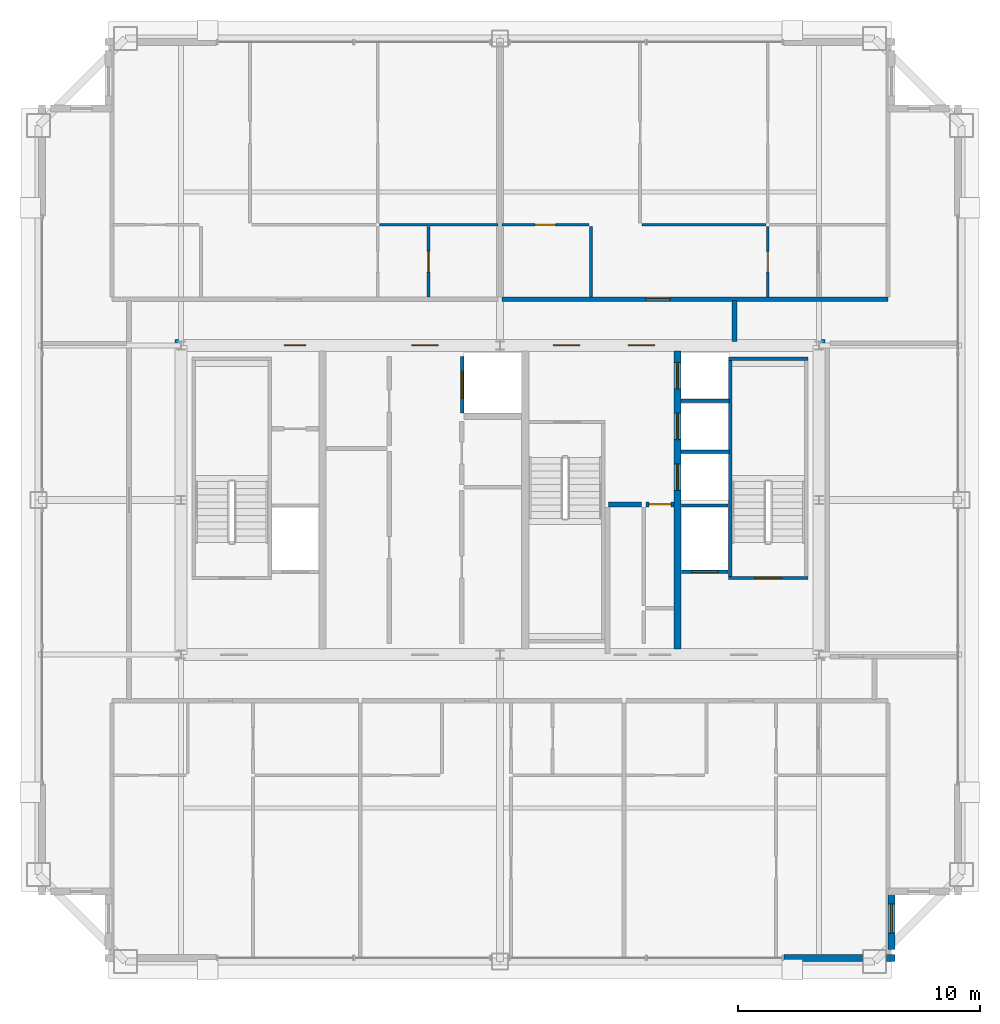
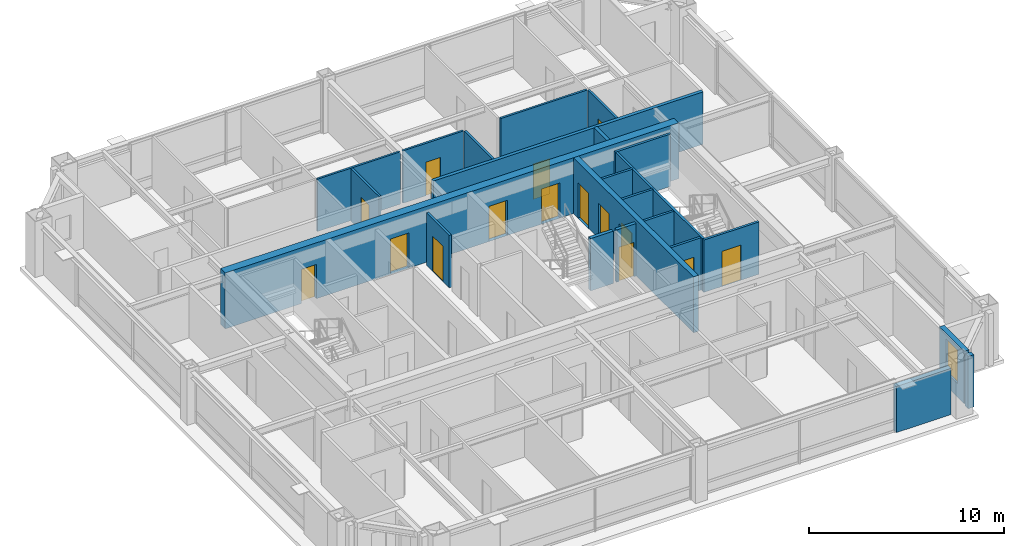
# One storey, part 32 of 35: 23 walls, 15 doors, 1 window, 16 openings.
"""IFC4 building model written with IfcOpenShell, lengths in metres."""

from ifc_helpers import new_model, si_unit, direction, frame, frame_2d, origin, place, context, subcontext, project, spatial, rectangle, extrude, source, transform, mapped, material, layer, layer_set, type_object, element, fill, save


model = new_model("IFC4")

# Units and contexts
model_context = context("Model", 3, precision=1e-05, world=origin(), true_north=direction((0.0, 1.0)))
body_context = subcontext(model_context, "Body", "Model", "MODEL_VIEW")
ifc_project = project(units=[si_unit("LENGTHUNIT", "METRE"), si_unit("AREAUNIT", "SQUARE_METRE"), si_unit("VOLUMEUNIT", "CUBIC_METRE"), si_unit("PLANEANGLEUNIT", "RADIAN"), si_unit("MASSUNIT", "GRAM", prefix="KILO"), si_unit("THERMODYNAMICTEMPERATUREUNIT", "KELVIN"), si_unit("POWERUNIT", "WATT")], contexts=[model_context])

# Site, building, storey
site_placement = place(None, origin())
site = spatial("IfcSite", under=ifc_project, at=site_placement, CompositionType="ELEMENT")
building_placement = place(site_placement, origin())
building = spatial("IfcBuilding", under=site, at=building_placement, Name="Yuzanri Waterfront Tower", CompositionType="ELEMENT")
storey_placement = place(building_placement, frame((0.0, 0.0, 318.199951171875)))
storey = spatial("IfcBuildingStorey", under=building, at=storey_placement, Name="L85", CompositionType="ELEMENT", Elevation=318.199951171875)

# Wall, opening, door
ifc_material_1 = material(Name="Moisture-Resistant Gypsum Stud Wall", Category="gypsum")
ifc_layer_1 = layer(ifc_material_1, 0.1201171875)
ifc_layer_set_1 = layer_set([ifc_layer_1], Name="Moisture-Resistant Gypsum Stud Wall")
wall_type_1 = type_object("IfcWallType", Name="Bathroom and Kitchen Wet Partition 120", PredefinedType="PARTITIONING", material=ifc_layer_set_1)
wall_1_placement = place(storey_placement, frame((34.0400390625, 34.2099609375, 0.0), z_axis=(0.0, 0.0, 1.0), x_axis=(0.0, 1.0, 0.0)))
wall_1 = element("IfcWall", 1, at=wall_1_placement, inside=storey, type_object=wall_type_1, Name="L85 Partition UW-L85-HN1-SUB-2-W", PredefinedType="PARTITIONING", context=body_context, shape_type="SweptSolid", body=[
    extrude(rectangle(XDim=2.900146484375, YDim=0.1201171875, at=frame_2d((1.4501953125, 0.0))), origin(), (0.0, 0.0, 1.0), 3.280029296875),
])
opening_1_placement = place(wall_1_placement, frame((1.02490234375, 0.0, 0.0)))
opening_1 = element("IfcOpeningElement", 2, at=opening_1_placement, cuts=wall_1, Name="Opening ID-0850", PredefinedType="OPENING", context=body_context, shape_type="SweptSolid", body=[
    extrude(rectangle(XDim=0.85009765625, YDim=2.10009765625, at=frame_2d((0.425048828125, 1.050048828125))), frame((0.0, 0.074951171875, 0.0), z_axis=(0.0, -1.0, 0.0), x_axis=(1.0, 0.0, 0.0)), (0.0, 0.0, 1.0), 0.14990234375),
])
ifc_material_2 = material(Name="Moisture-Resistant Lacquered Timber", Category="wood")
door_type_1 = type_object("IfcDoorType", Name="En-Suite Bathroom and Kitchen Swing Door 850x2100", OperationType="NOTDEFINED", PredefinedType="DOOR", material=ifc_material_2)
shared_shape_1 = source(origin(), body_context, "Body", "SweptSolid", [
    extrude(rectangle(XDim=0.85009765625, YDim=2.10009765625, at=frame_2d((0.425048828125, 1.050048828125))), frame((0.0, 0.02490234375, 0.0), z_axis=(0.0, -1.0, 0.0), x_axis=(1.0, 0.0, 0.0)), (0.0, 0.0, 1.0), 0.050048828125),
])
door_1_placement = place(opening_1_placement, origin())
door_1 = element("IfcDoor", 3, at=door_1_placement, inside=storey, type_object=door_type_1, Name="L85 Suite Interior Room Door", OperationType="SINGLE_SWING_RIGHT", OverallHeight=2.10009765625, OverallWidth=0.85009765625, PredefinedType="DOOR", context=body_context, shape_type="MappedRepresentation", body=[
    mapped(shared_shape_1, transform((0.0, 0.0, 0.0), scale=1.0)),
])
fill(opening_1, door_1)

wall_2_placement = place(storey_placement, frame((37.080078125, 37.18994140625, 0.0), z_axis=(0.0, 0.0, 1.0), x_axis=(1.0, 0.0, 0.0)))
wall_2 = element("IfcWall", 4, at=wall_2_placement, inside=storey, type_object=wall_type_1, Name="L85 Partition UW-L85-HN2-SUB-1-N", PredefinedType="PARTITIONING", context=body_context, shape_type="SweptSolid", body=[
    extrude(rectangle(XDim=3.599853515625, YDim=0.1201171875, at=frame_2d((1.7998046875, 0.0))), origin(), (0.0, 0.0, 1.0), 3.280029296875),
])
opening_2_placement = place(wall_2_placement, frame((1.375, 0.0, 0.0)))
opening_2 = element("IfcOpeningElement", 5, at=opening_2_placement, cuts=wall_2, Name="Opening ID-0850", PredefinedType="OPENING", context=body_context, shape_type="SweptSolid", body=[
    extrude(rectangle(XDim=0.85009765625, YDim=2.10009765625, at=frame_2d((0.425048828125, 1.050048828125))), frame((0.0, 0.074951171875, 0.0), z_axis=(0.0, -1.0, 0.0), x_axis=(1.0, 0.0, 0.0)), (0.0, 0.0, 1.0), 0.14990234375),
])
door_2_placement = place(opening_2_placement, origin())
door_2 = element("IfcDoor", 6, at=door_2_placement, inside=storey, type_object=door_type_1, Name="L85 Suite Interior Room Door", OperationType="SINGLE_SWING_LEFT", OverallHeight=2.10009765625, OverallWidth=0.85009765625, PredefinedType="DOOR", context=body_context, shape_type="MappedRepresentation", body=[
    mapped(shared_shape_1, transform((0.0, 0.0, 0.0), scale=1.0)),
])
fill(opening_2, door_2)

wall_3_placement = place(storey_placement, frame((48.08203125, 34.2099609375, 0.0), z_axis=(0.0, 0.0, 1.0), x_axis=(0.0, 1.0, 0.0)))
wall_3 = element("IfcWall", 7, at=wall_3_placement, inside=storey, type_object=wall_type_1, Name="L85 Partition UW-L85-HN2-SUB-4-W", PredefinedType="PARTITIONING", context=body_context, shape_type="SweptSolid", body=[
    extrude(rectangle(XDim=2.900146484375, YDim=0.1201171875, at=frame_2d((1.4501953125, 0.0))), origin(), (0.0, 0.0, 1.0), 3.280029296875),
])
opening_3_placement = place(wall_3_placement, frame((1.02490234375, 0.0, 0.0)))
opening_3 = element("IfcOpeningElement", 8, at=opening_3_placement, cuts=wall_3, Name="Opening ID-0850", PredefinedType="OPENING", context=body_context, shape_type="SweptSolid", body=[
    extrude(rectangle(XDim=0.85009765625, YDim=2.10009765625, at=frame_2d((0.425048828125, 1.050048828125))), frame((0.0, 0.074951171875, 0.0), z_axis=(0.0, -1.0, 0.0), x_axis=(1.0, 0.0, 0.0)), (0.0, 0.0, 1.0), 0.14990234375),
])
door_3_placement = place(opening_3_placement, origin())
door_3 = element("IfcDoor", 9, at=door_3_placement, inside=storey, type_object=door_type_1, Name="L85 Suite Interior Room Door", OperationType="SINGLE_SWING_RIGHT", OverallHeight=2.10009765625, OverallWidth=0.85009765625, PredefinedType="DOOR", context=body_context, shape_type="MappedRepresentation", body=[
    mapped(shared_shape_1, transform((0.0, 0.0, 0.0), scale=1.0)),
])
fill(opening_3, door_3)

# Wall, opening, window
ifc_material_3 = material(Name="Honed Chongqing Dark Basalt Stone", Category="masonry")
ifc_layer_2 = layer(ifc_material_3, 0.300048828125)
ifc_layer_set_2 = layer_set([ifc_layer_2], Name="Honed Chongqing Dark Basalt Stone")
wall_type_2 = type_object("IfcWallType", Name="Bronze Rainscreen Insulated Spandrel Portal Wall 300", PredefinedType="SOLIDWALL", material=ifc_layer_set_2)
wall_4_placement = place(storey_placement, frame((53.199951171875, 7.199951171875, 0.0), z_axis=(0.0, 0.0, 1.0), x_axis=(0.0, 1.0, 0.0)))
wall_4 = element("IfcWall", 10, at=wall_4_placement, inside=storey, type_object=wall_type_2, Name="L85 Notched Corner Masonry Wall SE-Y", PredefinedType="SOLIDWALL", context=body_context, shape_type="SweptSolid", body=[
    extrude(rectangle(XDim=2.550048828125, YDim=0.300048828125, at=frame_2d((1.27490234375, 0.0))), origin(), (0.0, 0.0, 1.0), 3.280029296875),
])
opening_4_placement = place(wall_4_placement, frame((0.675048828125, 0.0, 0.85009765625)))
opening_4 = element("IfcOpeningElement", 11, at=opening_4_placement, cuts=wall_4, Name="Opening WN-02", PredefinedType="OPENING", context=body_context, shape_type="SweptSolid", body=[
    extrude(rectangle(XDim=1.199951171875, YDim=2.10009765625, at=frame_2d((0.60009765625, 1.050048828125))), frame((0.0, 0.1650390625, 0.0), z_axis=(0.0, -1.0, 0.0), x_axis=(1.0, 0.0, 0.0)), (0.0, 0.0, 1.0), 0.329833984375),
])
ifc_material_4 = material(Name="Double-Silver Low-E Insulated Glass", Category="glass")
window_type = type_object("IfcWindowType", Name="Anodized Bronze Notched Corner Deep-Set Slot Window 1200x2100", PartitioningType="SINGLE_PANEL", PredefinedType="WINDOW", material=ifc_material_4)
shared_shape_2 = source(origin(), body_context, "Body", "SweptSolid", [
    extrude(rectangle(XDim=1.199951171875, YDim=2.10009765625, at=frame_2d((0.60009765625, 1.050048828125))), frame((0.0, 0.030029296875, 0.0), z_axis=(0.0, -1.0, 0.0), x_axis=(1.0, 0.0, 0.0)), (0.0, 0.0, 1.0), 0.06005859375),
])
window_placement = place(opening_4_placement, origin())
window = element("IfcWindow", 12, at=window_placement, inside=storey, type_object=window_type, Name="L85 Notched Corner Window SE-Y", OverallHeight=2.10009765625, OverallWidth=1.199951171875, PartitioningType="SINGLE_PANEL", PredefinedType="WINDOW", context=body_context, shape_type="MappedRepresentation", body=[
    mapped(shared_shape_2, transform((0.0, 0.0, 0.0), scale=1.0)),
])
fill(opening_4, window)

# Wall, openings, doors
ifc_material_5 = material(Name="Concrete C45", Category="concrete")
ifc_layer_3 = layer(ifc_material_5, 0.47998046875)
ifc_layer_set_3 = layer_set([ifc_layer_3], Name="Concrete C45")
wall_type_3 = type_object("IfcWallType", Name="Concrete C45 High-Rise Core Shear Wall 480", PredefinedType="SHEAR", material=ifc_layer_set_3)
wall_5_placement = place(storey_placement, frame((23.56005859375, 32.199951171875, 0.0), z_axis=(0.0, 0.0, 1.0), x_axis=(1.0, 0.0, 0.0)))
wall_5 = element("IfcWall", 13, at=wall_5_placement, inside=storey, type_object=wall_type_3, Name="L85 Core North Shear Wall", PredefinedType="SHEAR", context=body_context, shape_type="SweptSolid", body=[
    extrude(rectangle(XDim=26.8798828125, YDim=0.47998046875, at=frame_2d((13.43994140625, 0.0))), origin(), (0.0, 0.0, 1.0), 3.5),
])
opening_5_placement = place(wall_5_placement, frame((4.510009765625, 0.0, 0.0)))
opening_5 = element("IfcOpeningElement", 14, at=opening_5_placement, cuts=wall_5, Name="Opening FD-0900", PredefinedType="OPENING", context=body_context, shape_type="SweptSolid", body=[
    extrude(rectangle(XDim=0.89990234375, YDim=2.14990234375, at=frame_2d((0.449951171875, 1.074951171875))), frame((0.0, 0.2548828125, 0.0), z_axis=(0.0, -1.0, 0.0), x_axis=(1.0, 0.0, 0.0)), (0.0, 0.0, 1.0), 0.509765625),
])
opening_6_placement = place(wall_5_placement, frame((9.7900390625, 0.0, 0.0)))
opening_6 = element("IfcOpeningElement", 15, at=opening_6_placement, cuts=wall_5, Name="Opening FD-1100", PredefinedType="OPENING", context=body_context, shape_type="SweptSolid", body=[
    extrude(rectangle(XDim=1.10009765625, YDim=2.199951171875, at=frame_2d((0.550048828125, 1.10009765625))), frame((0.0, 0.2548828125, 0.0), z_axis=(0.0, -1.0, 0.0), x_axis=(1.0, 0.0, 0.0)), (0.0, 0.0, 1.0), 0.509765625),
])
opening_7_placement = place(wall_5_placement, frame((15.639892578125, 0.0, 0.0)))
opening_7 = element("IfcOpeningElement", 16, at=opening_7_placement, cuts=wall_5, Name="Opening FD-1100", PredefinedType="OPENING", context=body_context, shape_type="SweptSolid", body=[
    extrude(rectangle(XDim=1.10009765625, YDim=2.199951171875, at=frame_2d((0.550048828125, 1.10009765625))), frame((0.0, 0.2548828125, 0.0), z_axis=(0.0, -1.0, 0.0), x_axis=(1.0, 0.0, 0.0)), (0.0, 0.0, 1.0), 0.509765625),
])
opening_8_placement = place(wall_5_placement, frame((18.739990234375, 0.0, 0.0)))
opening_8 = element("IfcOpeningElement", 17, at=opening_8_placement, cuts=wall_5, Name="Opening FD-1100", PredefinedType="OPENING", context=body_context, shape_type="SweptSolid", body=[
    extrude(rectangle(XDim=1.10009765625, YDim=2.199951171875, at=frame_2d((0.550048828125, 1.10009765625))), frame((0.0, 0.2548828125, 0.0), z_axis=(0.0, -1.0, 0.0), x_axis=(1.0, 0.0, 0.0)), (0.0, 0.0, 1.0), 0.509765625),
])
ifc_material_6 = material(Name="Painted Galvanized Fire Steel", Category="steel")
door_type_2 = type_object("IfcDoorType", Name="Smoke-Proof Stair and Lobby Fire Door 1100x2200", OperationType="NOTDEFINED", PredefinedType="DOOR", material=ifc_material_6)
shared_shape_3 = source(origin(), body_context, "Body", "SweptSolid", [
    extrude(rectangle(XDim=1.10009765625, YDim=2.199951171875, at=frame_2d((0.550048828125, 1.10009765625))), frame((0.0, 0.02490234375, 0.0), z_axis=(0.0, -1.0, 0.0), x_axis=(1.0, 0.0, 0.0)), (0.0, 0.0, 1.0), 0.050048828125),
])
door_4_placement = place(opening_6_placement, origin())
door_4 = element("IfcDoor", 18, at=door_4_placement, inside=storey, type_object=door_type_2, Name="L85 Central Lift Lobby North Door", OperationType="SINGLE_SWING_LEFT", OverallHeight=2.199951171875, OverallWidth=1.10009765625, PredefinedType="DOOR", context=body_context, shape_type="MappedRepresentation", body=[
    mapped(shared_shape_3, transform((0.0, 0.0, 0.0), scale=1.0)),
])
fill(opening_6, door_4)
door_5_placement = place(opening_7_placement, origin())
door_5 = element("IfcDoor", 19, at=door_5_placement, inside=storey, type_object=door_type_2, Name="L85 North Stair Lobby Door", OperationType="SINGLE_SWING_RIGHT", OverallHeight=2.199951171875, OverallWidth=1.10009765625, PredefinedType="DOOR", context=body_context, shape_type="MappedRepresentation", body=[
    mapped(shared_shape_3, transform((0.0, 0.0, 0.0), scale=1.0)),
])
fill(opening_7, door_5)
door_6_placement = place(opening_8_placement, origin())
door_6 = element("IfcDoor", 20, at=door_6_placement, inside=storey, type_object=door_type_2, Name="L85 High-Rise Lift Lobby North Door", OperationType="SINGLE_SWING_LEFT", OverallHeight=2.199951171875, OverallWidth=1.10009765625, PredefinedType="DOOR", context=body_context, shape_type="MappedRepresentation", body=[
    mapped(shared_shape_3, transform((0.0, 0.0, 0.0), scale=1.0)),
])
fill(opening_8, door_6)
ifc_material_7 = material(Name="Painted Galvanized Fire Steel", Category="steel")
door_type_3 = type_object("IfcDoorType", Name="Riser and Service Room Fire Door 900x2150", OperationType="NOTDEFINED", PredefinedType="DOOR", material=ifc_material_7)
shared_shape_4 = source(origin(), body_context, "Body", "SweptSolid", [
    extrude(rectangle(XDim=0.89990234375, YDim=2.14990234375, at=frame_2d((0.449951171875, 1.074951171875))), frame((0.0, 0.02490234375, 0.0), z_axis=(0.0, -1.0, 0.0), x_axis=(1.0, 0.0, 0.0)), (0.0, 0.0, 1.0), 0.050048828125),
])
door_7_placement = place(opening_5_placement, origin())
door_7 = element("IfcDoor", 21, at=door_7_placement, inside=storey, type_object=door_type_3, Name="L85 Telecom Riser Door", OperationType="SINGLE_SWING_RIGHT", OverallHeight=2.14990234375, OverallWidth=0.89990234375, PredefinedType="DOOR", context=body_context, shape_type="MappedRepresentation", body=[
    mapped(shared_shape_4, transform((0.0, 0.0, 0.0), scale=1.0)),
])
fill(opening_5, door_7)

ifc_material_8 = material(Name="Concrete C50", Category="concrete")
ifc_layer_4 = layer(ifc_material_8, 0.300048828125)
ifc_layer_set_4 = layer_set([ifc_layer_4], Name="Concrete C50")
wall_type_4 = type_object("IfcWallType", Name="Concrete C50 Internal Core Shaft Structural Wall 300", PredefinedType="SOLIDWALL", material=ifc_layer_set_4)
wall_6_placement = place(storey_placement, frame((44.35009765625, 19.639892578125, 0.0), z_axis=(0.0, 0.0, 1.0), x_axis=(0.0, 1.0, 0.0)))
wall_6 = element("IfcWall", 22, at=wall_6_placement, inside=storey, type_object=wall_type_4, Name="L85 Core Internal Structural Web Wall 3", PredefinedType="SOLIDWALL", context=body_context, shape_type="SweptSolid", body=[
    extrude(rectangle(XDim=12.320068359375, YDim=0.300048828125, at=frame_2d((6.16015625, 0.0))), origin(), (0.0, 0.0, 1.0), 3.5),
])
opening_9_placement = place(wall_6_placement, frame((6.56005859375, 0.0, 0.0)))
opening_9 = element("IfcOpeningElement", 23, at=opening_9_placement, cuts=wall_6, Name="Opening LD-PL-09", PredefinedType="OPENING", context=body_context, shape_type="SweptSolid", body=[
    extrude(rectangle(XDim=1.10009765625, YDim=2.199951171875, at=frame_2d((0.550048828125, 1.10009765625))), frame((0.0, 0.1650390625, 0.0), z_axis=(0.0, -1.0, 0.0), x_axis=(1.0, 0.0, 0.0)), (0.0, 0.0, 1.0), 0.329833984375),
])
opening_10_placement = place(wall_6_placement, frame((8.659912109375, 0.0, 0.0)))
opening_10 = element("IfcOpeningElement", 24, at=opening_10_placement, cuts=wall_6, Name="Opening LD-PL-10", PredefinedType="OPENING", context=body_context, shape_type="SweptSolid", body=[
    extrude(rectangle(XDim=1.10009765625, YDim=2.199951171875, at=frame_2d((0.550048828125, 1.10009765625))), frame((0.0, 0.1650390625, 0.0), z_axis=(0.0, -1.0, 0.0), x_axis=(1.0, 0.0, 0.0)), (0.0, 0.0, 1.0), 0.329833984375),
])
opening_11_placement = place(wall_6_placement, frame((10.760009765625, 0.0, 0.0)))
opening_11 = element("IfcOpeningElement", 25, at=opening_11_placement, cuts=wall_6, Name="Opening LD-PL-11", PredefinedType="OPENING", context=body_context, shape_type="SweptSolid", body=[
    extrude(rectangle(XDim=1.10009765625, YDim=2.199951171875, at=frame_2d((0.550048828125, 1.10009765625))), frame((0.0, 0.1650390625, 0.0), z_axis=(0.0, -1.0, 0.0), x_axis=(1.0, 0.0, 0.0)), (0.0, 0.0, 1.0), 0.329833984375),
])
ifc_material_9 = material(Name="Brushed Bronze and Stainless Steel Cab", Category="steel")
door_type_4 = type_object("IfcDoorType", Name="Center-Parting Bronze Lift Landing Sliding Door 1100x2200", OperationType="NOTDEFINED", PredefinedType="DOOR", material=ifc_material_9)
shared_shape_5 = source(origin(), body_context, "Body", "SweptSolid", [
    extrude(rectangle(XDim=1.10009765625, YDim=2.199951171875, at=frame_2d((0.550048828125, 1.10009765625))), frame((0.0, 0.02490234375, 0.0), z_axis=(0.0, -1.0, 0.0), x_axis=(1.0, 0.0, 0.0)), (0.0, 0.0, 1.0), 0.050048828125),
])
door_8_placement = place(opening_9_placement, origin())
door_8 = element("IfcDoor", 26, at=door_8_placement, inside=storey, type_object=door_type_4, Name="L85 PL-09 Lift Landing Sliding Door", OperationType="SLIDING_TO_LEFT", OverallHeight=2.199951171875, OverallWidth=1.10009765625, PredefinedType="DOOR", context=body_context, shape_type="MappedRepresentation", body=[
    mapped(shared_shape_5, transform((0.0, 0.0, 0.0), scale=1.0)),
])
fill(opening_9, door_8)
door_9_placement = place(opening_10_placement, origin())
door_9 = element("IfcDoor", 27, at=door_9_placement, inside=storey, type_object=door_type_4, Name="L85 PL-10 Lift Landing Sliding Door", OperationType="SLIDING_TO_RIGHT", OverallHeight=2.199951171875, OverallWidth=1.10009765625, PredefinedType="DOOR", context=body_context, shape_type="MappedRepresentation", body=[
    mapped(shared_shape_5, transform((0.0, 0.0, 0.0), scale=1.0)),
])
fill(opening_10, door_9)
door_10_placement = place(opening_11_placement, origin())
door_10 = element("IfcDoor", 28, at=door_10_placement, inside=storey, type_object=door_type_4, Name="L85 PL-11 Lift Landing Sliding Door", OperationType="SLIDING_TO_LEFT", OverallHeight=2.199951171875, OverallWidth=1.10009765625, PredefinedType="DOOR", context=body_context, shape_type="MappedRepresentation", body=[
    mapped(shared_shape_5, transform((0.0, 0.0, 0.0), scale=1.0)),
])
fill(opening_11, door_10)

# Wall, opening, door
ifc_material_10 = material(Name="Concrete C40", Category="concrete")
ifc_layer_5 = layer(ifc_material_10, 0.139892578125)
ifc_layer_set_5 = layer_set([ifc_layer_5], Name="Concrete C40")
wall_type_5 = type_object("IfcWallType", Name="Core Stair Liner and Hoistway Shaft Wall 140", PredefinedType="SOLIDWALL", material=ifc_layer_set_5)
wall_7_placement = place(storey_placement, frame((44.52001953125, 22.830078125, 0.0), z_axis=(0.0, 0.0, 1.0), x_axis=(1.0, 0.0, 0.0)))
wall_7 = element("IfcWall", 29, at=wall_7_placement, inside=storey, type_object=wall_type_5, Name="L85 Lift FL-02 Front Shaft Wall", PredefinedType="SOLIDWALL", context=body_context, shape_type="SweptSolid", body=[
    extrude(rectangle(XDim=1.919921875, YDim=0.139892578125, at=frame_2d((0.9599609375, 0.0))), origin(), (0.0, 0.0, 1.0), 3.280029296875),
])
opening_12_placement = place(wall_7_placement, frame((0.409912109375, 0.0, 0.0)))
opening_12 = element("IfcOpeningElement", 30, at=opening_12_placement, cuts=wall_7, Name="Opening LD-FL-02", PredefinedType="OPENING", context=body_context, shape_type="SweptSolid", body=[
    extrude(rectangle(XDim=1.10009765625, YDim=2.199951171875, at=frame_2d((0.550048828125, 1.10009765625))), frame((0.0, 0.0849609375, 0.0), z_axis=(0.0, -1.0, 0.0), x_axis=(1.0, 0.0, 0.0)), (0.0, 0.0, 1.0), 0.169677734375),
])
door_11_placement = place(opening_12_placement, origin())
door_11 = element("IfcDoor", 31, at=door_11_placement, inside=storey, type_object=door_type_4, Name="L85 FL-02 Lift Landing Sliding Door", OperationType="SLIDING_TO_RIGHT", OverallHeight=2.199951171875, OverallWidth=1.10009765625, PredefinedType="DOOR", context=body_context, shape_type="MappedRepresentation", body=[
    mapped(shared_shape_5, transform((0.0, 0.0, 0.0), scale=1.0)),
])
fill(opening_12, door_11)

wall_8_placement = place(storey_placement, frame((35.429931640625, 29.39990234375, 0.0), z_axis=(0.0, 0.0, 1.0), x_axis=(0.0, 1.0, 0.0)))
wall_8 = element("IfcWall", 32, at=wall_8_placement, inside=storey, type_object=wall_type_5, Name="L85 Lift SL-02 Front Shaft Wall", PredefinedType="SOLIDWALL", context=body_context, shape_type="SweptSolid", body=[
    extrude(rectangle(XDim=2.340087890625, YDim=0.139892578125, at=frame_2d((1.169921875, 0.0))), origin(), (0.0, 0.0, 1.0), 3.280029296875),
])
opening_13_placement = place(wall_8_placement, frame((0.6201171875, 0.0, 0.0)))
opening_13 = element("IfcOpeningElement", 33, at=opening_13_placement, cuts=wall_8, Name="Opening LD-SL-02", PredefinedType="OPENING", context=body_context, shape_type="SweptSolid", body=[
    extrude(rectangle(XDim=1.10009765625, YDim=2.199951171875, at=frame_2d((0.550048828125, 1.10009765625))), frame((0.0, 0.0849609375, 0.0), z_axis=(0.0, -1.0, 0.0), x_axis=(1.0, 0.0, 0.0)), (0.0, 0.0, 1.0), 0.169677734375),
])
door_12_placement = place(opening_13_placement, origin())
door_12 = element("IfcDoor", 34, at=door_12_placement, inside=storey, type_object=door_type_4, Name="L85 SL-02 Lift Landing Sliding Door", OperationType="SLIDING_TO_RIGHT", OverallHeight=2.199951171875, OverallWidth=1.10009765625, PredefinedType="DOOR", context=body_context, shape_type="MappedRepresentation", body=[
    mapped(shared_shape_5, transform((0.0, 0.0, 0.0), scale=1.0)),
])
fill(opening_13, door_12)

wall_9_placement = place(storey_placement, frame((46.4599609375, 22.570068359375, 0.0), z_axis=(0.0, 0.0, 1.0), x_axis=(1.0, 0.0, 0.0)))
wall_9 = element("IfcWall", 35, at=wall_9_placement, inside=storey, type_object=wall_type_5, Name="L85 Shaft Wall STW-L85-ST-02-S", PredefinedType="SOLIDWALL", context=body_context, shape_type="SweptSolid", body=[
    extrude(rectangle(XDim=3.280029296875, YDim=0.139892578125, at=frame_2d((1.64013671875, 0.0))), origin(), (0.0, 0.0, 1.0), 3.280029296875),
])
opening_14_placement = place(wall_9_placement, frame((1.090087890625, 0.0, 0.0)))
opening_14 = element("IfcOpeningElement", 36, at=opening_14_placement, cuts=wall_9, Name="Opening FD-1100", PredefinedType="OPENING", context=body_context, shape_type="SweptSolid", body=[
    extrude(rectangle(XDim=1.10009765625, YDim=2.199951171875, at=frame_2d((0.550048828125, 1.10009765625))), frame((0.0, 0.0849609375, 0.0), z_axis=(0.0, -1.0, 0.0), x_axis=(1.0, 0.0, 0.0)), (0.0, 0.0, 1.0), 0.169677734375),
])
door_13_placement = place(opening_14_placement, origin())
door_13 = element("IfcDoor", 37, at=door_13_placement, inside=storey, type_object=door_type_2, Name="L85 Stair ST-02 Fire Door", OperationType="SINGLE_SWING_LEFT", OverallHeight=2.199951171875, OverallWidth=1.10009765625, PredefinedType="DOOR", context=body_context, shape_type="MappedRepresentation", body=[
    mapped(shared_shape_3, transform((0.0, 0.0, 0.0), scale=1.0)),
])
fill(opening_14, door_13)

ifc_material_11 = material(Name="Autoclaved Aerated Concrete Blockwork", Category="masonry")
ifc_layer_6 = layer(ifc_material_11, 0.199951171875)
ifc_layer_set_6 = layer_set([ifc_layer_6], Name="Autoclaved Aerated Concrete Blockwork")
wall_type_6 = type_object("IfcWallType", Name="Corridor and Unit Party Fire Wall 200", PredefinedType="PARTITIONING", material=ifc_layer_set_6)
wall_10_placement = place(storey_placement, frame((43.050048828125, 25.6201171875, 0.0), z_axis=(0.0, 0.0, 1.0), x_axis=(1.0, 0.0, 0.0)))
wall_10 = element("IfcWall", 38, at=wall_10_placement, inside=storey, type_object=wall_type_6, Name="L85 Partition CRW-L85-BOHH-2", PredefinedType="PARTITIONING", context=body_context, shape_type="SweptSolid", body=[
    extrude(rectangle(XDim=1.14990234375, YDim=0.199951171875, at=frame_2d((0.574951171875, 0.0))), origin(), (0.0, 0.0, 1.0), 3.280029296875),
])
opening_15_placement = place(wall_10_placement, frame((0.1201171875, 0.0, 0.0)))
opening_15 = element("IfcOpeningElement", 39, at=opening_15_placement, cuts=wall_10, Name="Opening FD-0900", PredefinedType="OPENING", context=body_context, shape_type="SweptSolid", body=[
    extrude(rectangle(XDim=0.89990234375, YDim=2.14990234375, at=frame_2d((0.449951171875, 1.074951171875))), frame((0.0, 0.11474609375, 0.0), z_axis=(0.0, -1.0, 0.0), x_axis=(1.0, 0.0, 0.0)), (0.0, 0.0, 1.0), 0.229736328125),
])
door_14_placement = place(opening_15_placement, origin())
door_14 = element("IfcDoor", 40, at=door_14_placement, inside=storey, type_object=door_type_3, Name="L85 Linen Store Room", OperationType="SINGLE_SWING_LEFT", OverallHeight=2.14990234375, OverallWidth=0.89990234375, PredefinedType="DOOR", context=body_context, shape_type="MappedRepresentation", body=[
    mapped(shared_shape_4, transform((0.0, 0.0, 0.0), scale=1.0)),
])
fill(opening_15, door_14)

wall_11_placement = place(storey_placement, frame((37.080078125, 34.110107421875, 0.0), z_axis=(0.0, 0.0, 1.0), x_axis=(1.0, 0.0, 0.0)))
wall_11 = element("IfcWall", 41, at=wall_11_placement, inside=storey, type_object=wall_type_6, Name="L85 Partition UW-L85-HN2-CS", PredefinedType="PARTITIONING", context=body_context, shape_type="SweptSolid", body=[
    extrude(rectangle(XDim=15.97998046875, YDim=0.199951171875, at=frame_2d((7.989990234375, 0.0))), origin(), (0.0, 0.0, 1.0), 3.280029296875),
])
opening_16_placement = place(wall_11_placement, frame((5.965087890625, 0.0, 0.0)))
opening_16 = element("IfcOpeningElement", 42, at=opening_16_placement, cuts=wall_11, Name="Opening FD-1000", PredefinedType="OPENING", context=body_context, shape_type="SweptSolid", body=[
    extrude(rectangle(XDim=1.0, YDim=2.199951171875, at=frame_2d((0.5, 1.10009765625))), frame((0.0, 0.11474609375, 0.0), z_axis=(0.0, -1.0, 0.0), x_axis=(1.0, 0.0, 0.0)), (0.0, 0.0, 1.0), 0.229736328125),
])
ifc_material_12 = material(Name="Engineered Oak Fire-Rated Timber", Category="wood")
door_type_5 = type_object("IfcDoorType", Name="Guestroom and Apartment Entrance Fire Door 1000x2200", OperationType="NOTDEFINED", PredefinedType="DOOR", material=ifc_material_12)
shared_shape_6 = source(origin(), body_context, "Body", "SweptSolid", [
    extrude(rectangle(XDim=1.0, YDim=2.199951171875, at=frame_2d((0.5, 1.10009765625))), frame((0.0, 0.02490234375, 0.0), z_axis=(0.0, -1.0, 0.0), x_axis=(1.0, 0.0, 0.0)), (0.0, 0.0, 1.0), 0.050048828125),
])
door_15_placement = place(opening_16_placement, origin())
door_15 = element("IfcDoor", 43, at=door_15_placement, inside=storey, type_object=door_type_5, Name="L85 Apartment Living Room Entrance Door", OperationType="SINGLE_SWING_RIGHT", OverallHeight=2.199951171875, OverallWidth=1.0, PredefinedType="DOOR", context=body_context, shape_type="MappedRepresentation", body=[
    mapped(shared_shape_6, transform((0.0, 0.0, 0.0), scale=1.0)),
])
fill(opening_16, door_15)

# Walls
shared_shape_7 = source(origin(), body_context, "Body", "SweptSolid", [
    extrude(rectangle(XDim=3.25, YDim=0.300048828125, at=frame_2d((1.625, 0.0))), origin(), (0.0, 0.0, 1.0), 2.885009765625),
])
wall_12_placement = place(storey_placement, frame((48.75, 6.85009765625, 0.0), z_axis=(0.0, 0.0, 1.0), x_axis=(1.0, 0.0, 0.0)))
element("IfcWall", 44, at=wall_12_placement, inside=storey, type_object=wall_type_2, Name="L85 S Right Braced Masonry Shoulder", PredefinedType="SOLIDWALL", context=body_context, shape_type="MappedRepresentation", body=[
    mapped(shared_shape_7, transform((0.0, 0.0, 0.0), scale=1.0)),
])
shared_shape_8 = source(origin(), body_context, "Body", "SweptSolid", [
    extrude(rectangle(XDim=0.35009765625, YDim=0.300048828125, at=frame_2d((0.175048828125, 0.0))), origin(), (0.0, 0.0, 1.0), 3.280029296875),
])
wall_13_placement = place(storey_placement, frame((53.0, 6.85009765625, 0.0), z_axis=(0.0, 0.0, 1.0), x_axis=(1.0, 0.0, 0.0)))
element("IfcWall", 45, at=wall_13_placement, inside=storey, type_object=wall_type_2, Name="L85 Corner Column Shoulder Return CSE", PredefinedType="SOLIDWALL", context=body_context, shape_type="MappedRepresentation", body=[
    mapped(shared_shape_8, transform((0.0, 0.0, 0.0), scale=1.0)),
])
shared_shape_9 = source(origin(), body_context, "Body", "SweptSolid", [
    extrude(rectangle(XDim=1.919921875, YDim=0.139892578125, at=frame_2d((0.9599609375, 0.0))), origin(), (0.0, 0.0, 1.0), 3.280029296875),
])
wall_14_placement = place(storey_placement, frame((44.52001953125, 25.570068359375, 0.0), z_axis=(0.0, 0.0, 1.0), x_axis=(1.0, 0.0, 0.0)))
element("IfcWall", 46, at=wall_14_placement, inside=storey, type_object=wall_type_5, Name="L85 Lift FL-02 Back Shaft Wall", PredefinedType="SOLIDWALL", context=body_context, shape_type="MappedRepresentation", body=[
    mapped(shared_shape_9, transform((0.0, 0.0, 0.0), scale=1.0)),
])
shared_shape_10 = source(origin(), body_context, "Body", "SweptSolid", [
    extrude(rectangle(XDim=2.0, YDim=0.139892578125, at=frame_2d((1.0, 0.0))), origin(), (0.0, 0.0, 1.0), 3.280029296875),
])
for number, where, z_axis, x_axis, name in (
    (47, (44.5, 27.800048828125, 0.0), (0.0, 0.0, 1.0), (1.0, 0.0, 0.0), "L85 Lift PL-09 Divider Wall"),
    (48, (44.5, 29.89990234375, 0.0), (0.0, 0.0, 1.0), (1.0, 0.0, 0.0), "L85 Lift PL-10 Divider Wall"),
):
    element("IfcWall", number, at=place(storey_placement, frame(where, z_axis=z_axis, x_axis=x_axis)), inside=storey, type_object=wall_type_5, Name=name, PredefinedType="SOLIDWALL", context=body_context, shape_type="MappedRepresentation", body=[
        mapped(shared_shape_10, transform((0.0, 0.0, 0.0), scale=1.0)),
    ])
shared_shape_11 = source(origin(), body_context, "Body", "SweptSolid", [
    extrude(rectangle(XDim=3.280029296875, YDim=0.139892578125, at=frame_2d((1.64013671875, 0.0))), origin(), (0.0, 0.0, 1.0), 3.280029296875),
])
wall_15_placement = place(storey_placement, frame((46.4599609375, 31.64990234375, 0.0), z_axis=(0.0, 0.0, 1.0), x_axis=(1.0, 0.0, 0.0)))
element("IfcWall", 49, at=wall_15_placement, inside=storey, type_object=wall_type_5, Name="L85 Stair ST-02 North Shaft Wall", PredefinedType="SOLIDWALL", context=body_context, shape_type="MappedRepresentation", body=[
    mapped(shared_shape_11, transform((0.0, 0.0, 0.0), scale=1.0)),
])
shared_shape_12 = source(origin(), body_context, "Body", "SweptSolid", [
    extrude(rectangle(XDim=8.940185546875, YDim=0.139892578125, at=frame_2d((4.47021484375, 0.0))), origin(), (0.0, 0.0, 1.0), 3.280029296875),
])
wall_16_placement = place(storey_placement, frame((46.530029296875, 22.639892578125, 0.0), z_axis=(0.0, 0.0, 1.0), x_axis=(0.0, 1.0, 0.0)))
element("IfcWall", 50, at=wall_16_placement, inside=storey, type_object=wall_type_5, Name="L85 Stair ST-02 West Shaft Wall", PredefinedType="SOLIDWALL", context=body_context, shape_type="MappedRepresentation", body=[
    mapped(shared_shape_12, transform((0.0, 0.0, 0.0), scale=1.0)),
])
shared_shape_13 = source(origin(), body_context, "Body", "SweptSolid", [
    extrude(rectangle(XDim=1.35009765625, YDim=0.199951171875, at=frame_2d((0.675048828125, 0.0))), origin(), (0.0, 0.0, 1.0), 3.280029296875),
])
wall_17_placement = place(storey_placement, frame((41.5, 25.6201171875, 0.0), z_axis=(0.0, 0.0, 1.0), x_axis=(1.0, 0.0, 0.0)))
element("IfcWall", 51, at=wall_17_placement, inside=storey, type_object=wall_type_6, Name="L85 Core BOH Split Wall 1", PredefinedType="PARTITIONING", context=body_context, shape_type="MappedRepresentation", body=[
    mapped(shared_shape_13, transform((0.0, 0.0, 0.0), scale=1.0)),
])
shared_shape_14 = source(origin(), body_context, "Body", "SweptSolid", [
    extrude(rectangle(XDim=1.699951171875, YDim=0.199951171875, at=frame_2d((0.85009765625, 0.0))), origin(), (0.0, 0.0, 1.0), 3.280029296875),
])
wall_18_placement = place(storey_placement, frame((46.699951171875, 32.35009765625, 0.0), z_axis=(0.0, 0.0, 1.0), x_axis=(0.0, 1.0, 0.0)))
element("IfcWall", 52, at=wall_18_placement, inside=storey, type_object=wall_type_6, Name="L85 North Foyer East End Wall", PredefinedType="PARTITIONING", context=body_context, shape_type="MappedRepresentation", body=[
    mapped(shared_shape_14, transform((0.0, 0.0, 0.0), scale=1.0)),
])
shared_shape_15 = source(origin(), body_context, "Body", "SweptSolid", [
    extrude(rectangle(XDim=2.900146484375, YDim=0.1201171875, at=frame_2d((1.4501953125, 0.0))), origin(), (0.0, 0.0, 1.0), 3.280029296875),
])
wall_19_placement = place(storey_placement, frame((40.760009765625, 34.2099609375, 0.0), z_axis=(0.0, 0.0, 1.0), x_axis=(0.0, 1.0, 0.0)))
element("IfcWall", 53, at=wall_19_placement, inside=storey, type_object=wall_type_1, Name="L85 Partition UW-L85-HN2-SUB-1-E", PredefinedType="PARTITIONING", context=body_context, shape_type="MappedRepresentation", body=[
    mapped(shared_shape_15, transform((0.0, 0.0, 0.0), scale=1.0)),
])
shared_shape_16 = source(origin(), body_context, "Body", "SweptSolid", [
    extrude(rectangle(XDim=4.89794921875, YDim=0.1201171875, at=frame_2d((2.448974609375, 0.0))), origin(), (0.0, 0.0, 1.0), 3.280029296875),
])
wall_20_placement = place(storey_placement, frame((32.02197265625, 37.18994140625, 0.0), z_axis=(0.0, 0.0, 1.0), x_axis=(1.0, 0.0, 0.0)))
element("IfcWall", 54, at=wall_20_placement, inside=storey, type_object=wall_type_1, Name="L85 Partition UW-L85-HN1-SUB-3-S", PredefinedType="PARTITIONING", context=body_context, shape_type="MappedRepresentation", body=[
    mapped(shared_shape_16, transform((0.0, 0.0, 0.0), scale=1.0)),
])
shared_shape_17 = source(origin(), body_context, "Body", "SweptSolid", [
    extrude(rectangle(XDim=5.1220703125, YDim=0.1201171875, at=frame_2d((2.56103515625, 0.0))), origin(), (0.0, 0.0, 1.0), 3.280029296875),
])
wall_21_placement = place(storey_placement, frame((42.8798828125, 37.18994140625, 0.0), z_axis=(0.0, 0.0, 1.0), x_axis=(1.0, 0.0, 0.0)))
element("IfcWall", 55, at=wall_21_placement, inside=storey, type_object=wall_type_1, Name="L85 Partition UW-L85-HN2-SUB-5-S", PredefinedType="PARTITIONING", context=body_context, shape_type="MappedRepresentation", body=[
    mapped(shared_shape_17, transform((0.0, 0.0, 0.0), scale=1.0)),
])

save(model, "model.ifc")
